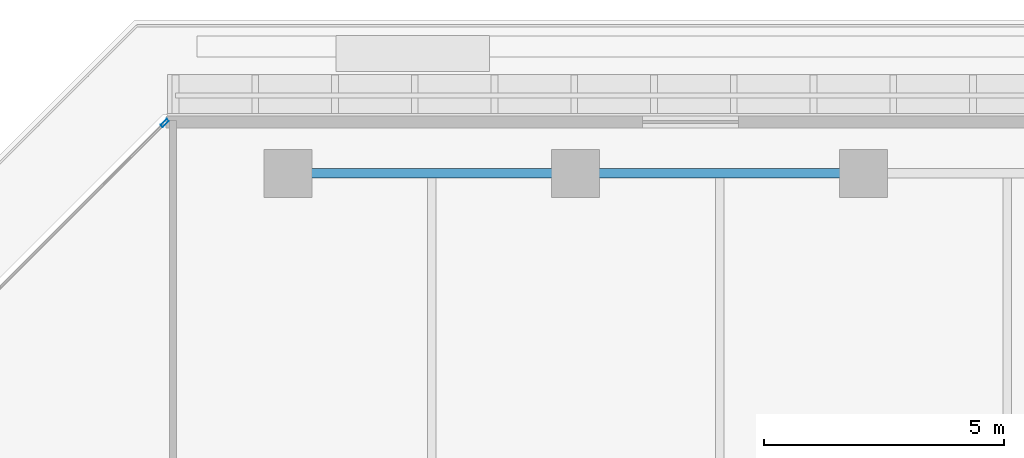
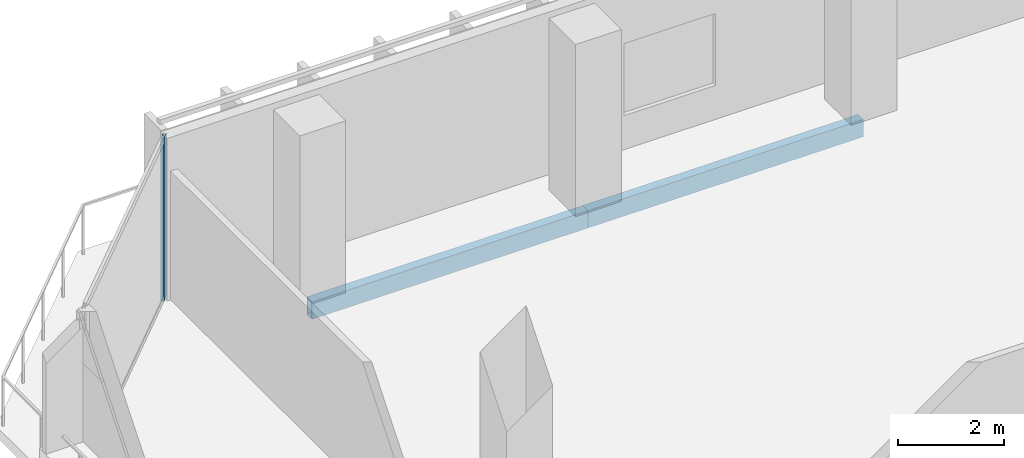
# One storey, part 13 of 38: 2 beams, 1 member, 1 element without a shape of its own.
"""IFC4 building model written with IfcOpenShell, lengths in metres."""

from ifc_helpers import new_model, si_unit, direction, frame, origin, origin_2d, place, context, subcontext, project, spatial, hollow_rectangle, extrude, material, layer, layer_set, material_profile, profile_set, type_object, element, aggregate, save


model = new_model("IFC4")

# Units and contexts
model_context = context("Model", 3, precision=1e-05, world=origin(), true_north=direction((0.0, 1.0)))
body_context = subcontext(model_context, "Body", "Model", "MODEL_VIEW")
ifc_project = project(units=[si_unit("LENGTHUNIT", "METRE"), si_unit("AREAUNIT", "SQUARE_METRE"), si_unit("VOLUMEUNIT", "CUBIC_METRE"), si_unit("PLANEANGLEUNIT", "RADIAN"), si_unit("MASSUNIT", "GRAM", prefix="KILO")], contexts=[model_context])

# Site, building, storey
site_placement = place(None, origin())
site = spatial("IfcSite", under=ifc_project, at=site_placement, CompositionType="ELEMENT")
building_placement = place(site_placement, origin())
building = spatial("IfcBuilding", under=site, at=building_placement, Name="Tanjung Sevakor Pilgrim Tower", CompositionType="ELEMENT")
storey_placement = place(building_placement, frame((0.0, 0.0, 78.2099609375)))
storey = spatial("IfcBuildingStorey", under=building, at=storey_placement, Name="L21", CompositionType="ELEMENT", Elevation=78.2099609375)

# Beams
ifc_material_1 = material(Name="Steel S355J2", Category="steel")
ifc_material_profile_1 = material_profile(ifc_material_1, hollow_rectangle(XDim=0.199951171875, YDim=0.39990234375, WallThickness=0.01611328125, at=origin_2d()))
ifc_profile_set_1 = profile_set([ifc_material_profile_1], Name="Steel S355J2")
beam_type = type_object("IfcBeamType", Name="BM-B-SP2-RHS_400x200x16", PredefinedType="SPANDREL", material=ifc_profile_set_1)
for number, where, z_axis, x_axis, name in (
    (1, (24.0, 56.39990234375, -0.47998046875), (1.0, 0.0, 0.0), (0.0, 1.0, 0.0), "L21 Spandrel MAIN N-02"),
    (2, (30.0, 56.39990234375, -0.47998046875), (1.0, 0.0, 0.0), (0.0, 1.0, 0.0), "L21 Spandrel MAIN N-04"),
):
    element("IfcBeam", number, at=place(storey_placement, frame(where, z_axis=z_axis, x_axis=x_axis)), inside=storey, type_object=beam_type, Name=name, PredefinedType="SPANDREL", context=body_context, shape_type="SweptSolid", body=[
        extrude(hollow_rectangle(XDim=0.199951171875, YDim=0.39990234375, WallThickness=0.01611328125, at=origin_2d()), origin(), (0.0, 0.0, 1.0), 6.0),
    ])

# Curtain wall, member
ifc_material_2 = material(Name="Aluminium 6063-T6 and Low-E Glass", Category="aluminium")
ifc_layer = layer(ifc_material_2, 0.179931640625)
ifc_layer_set = layer_set([ifc_layer], Name="CW-SYS-CHAM")
curtain_wall_type = type_object("IfcCurtainWallType", Name="CW-SYS-CHAM", PredefinedType="NOTDEFINED", material=ifc_layer_set)
curtain_wall_placement = place(storey_placement, origin())
curtain_wall = element("IfcCurtainWall", 3, at=curtain_wall_placement, inside=storey, type_object=curtain_wall_type, Name="L21 Curtain Wall CW-CHM-L21-MAIN-13", PredefinedType="NOTDEFINED")
ifc_material_3 = material(Name="Aluminium 6063-T6", Category="aluminium")
ifc_material_profile_2 = material_profile(ifc_material_3, hollow_rectangle(XDim=0.06494140625, YDim=0.179931640625, WallThickness=0.00390625, at=origin_2d()))
ifc_profile_set_2 = profile_set([ifc_material_profile_2], Name="Aluminium 6063-T6")
member_type = type_object("IfcMemberType", Name="TYPE-CWM-1", PredefinedType="MULLION", material=ifc_profile_set_2)
member_placement = place(storey_placement, frame((21.4287109375, 57.451904296875, 0.0), z_axis=(0.0, 0.0, 1.0), x_axis=(0.707106781187, -0.707106781187, 0.0)))
member = element("IfcMember", 4, at=member_placement, type_object=member_type, Name="CW-CHM mullion 1", PredefinedType="MULLION", context=body_context, shape_type="SweptSolid", body=[
    extrude(hollow_rectangle(XDim=0.06494140625, YDim=0.179931640625, WallThickness=0.00390625, at=origin_2d()), origin(), (0.0, 0.0, 1.0), 3.739990234375),
])
aggregate(curtain_wall, [member])

save(model, "model.ifc")
